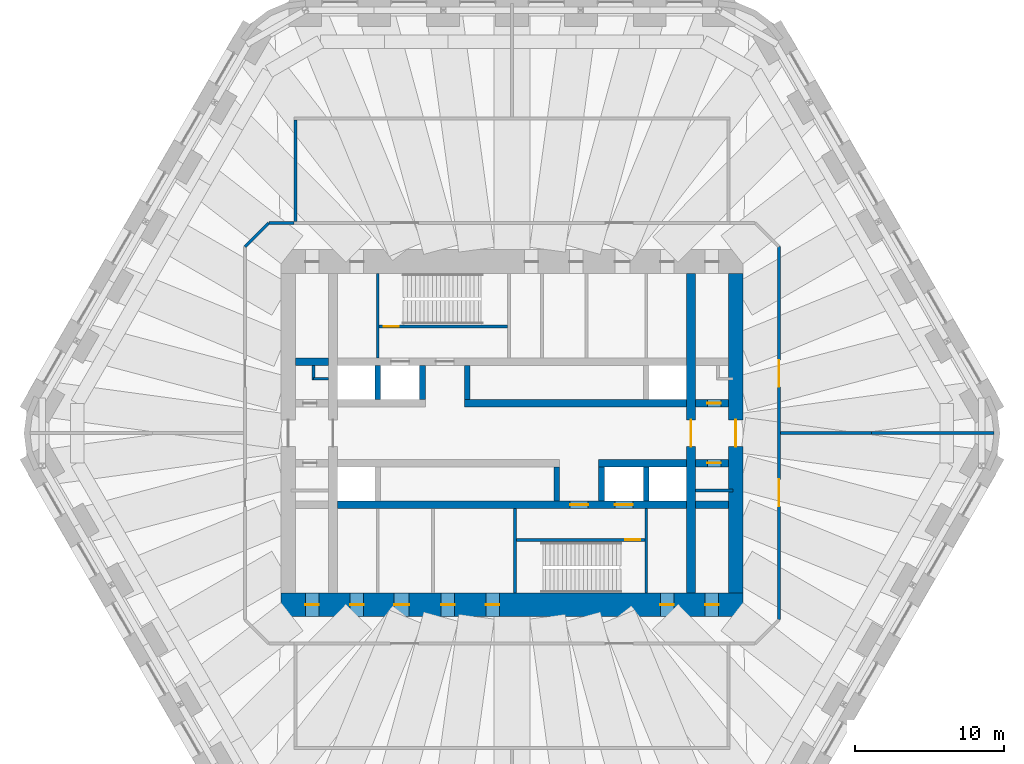
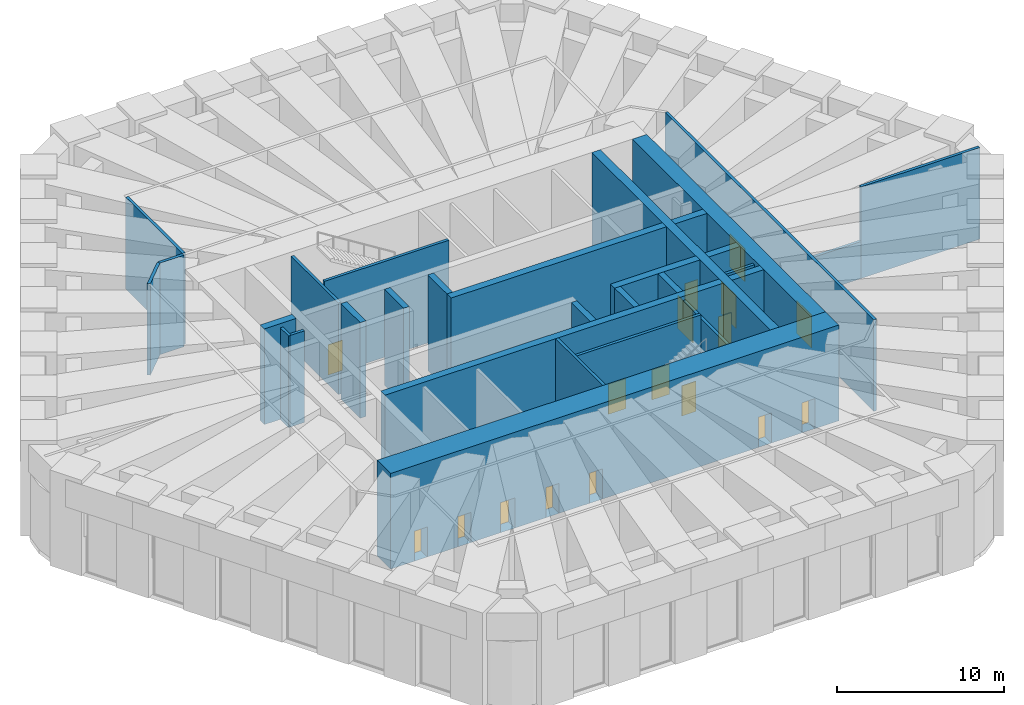
# One storey, part 12 of 14: 30 walls, 17 doors, 17 openings.
"""IFC4 building model written with IfcOpenShell, lengths in metres."""

from ifc_helpers import new_model, si_unit, direction, frame, frame_2d, origin, place, context, subcontext, project, spatial, rectangle, extrude, material, layer, layer_set, type_object, element, fill, save


model = new_model("IFC4")

# Units and contexts
model_context = context("Model", 3, precision=1e-05, world=origin(), true_north=direction((0.0, 1.0)))
body_context = subcontext(model_context, "Body", "Model", "MODEL_VIEW")
ifc_project = project(units=[si_unit("LENGTHUNIT", "METRE"), si_unit("AREAUNIT", "SQUARE_METRE"), si_unit("VOLUMEUNIT", "CUBIC_METRE"), si_unit("PLANEANGLEUNIT", "RADIAN"), si_unit("MASSUNIT", "GRAM", prefix="KILO")], contexts=[model_context])

# Site, building, storey
site_placement = place(None, origin())
site = spatial("IfcSite", under=ifc_project, at=site_placement, CompositionType="ELEMENT")
building_placement = place(site_placement, origin())
building = spatial("IfcBuilding", under=site, at=building_placement, Name="Tarfa Lantern Tower", CompositionType="ELEMENT")
storey_placement = place(building_placement, frame((0.0, 0.0, 299.5)))
storey = spatial("IfcBuildingStorey", under=building, at=storey_placement, Name="L68", CompositionType="ELEMENT", Elevation=299.5)

# Walls
ifc_material_1 = material(Name="Concrete blockwork", Category="masonry")
ifc_layer_1 = layer(ifc_material_1, 0.199951171875)
ifc_layer_set_1 = layer_set([ifc_layer_1], Name="IW1 BLOCKWORK PARTITION 200 EI 120")
wall_type_1 = type_object("IfcWallType", Name="IW1 BLOCKWORK PARTITION 200 EI 120", PredefinedType="PARTITIONING", material=ifc_layer_set_1)
for number, where, z_axis, x_axis, name in (
    (1, (-9.0, 5.050048828125, 0.0), (0.0, 0.0, 1.0), (0.0, 1.0, 0.0), "Core partition"),
    (2, (9.0, -5.050048828125, 0.0), (0.0, 0.0, 1.0), (0.0, -1.0, 0.0), "Core partition"),
):
    element("IfcWall", number, at=place(storey_placement, frame(where, z_axis=z_axis, x_axis=x_axis)), inside=storey, type_object=wall_type_1, Name=name, PredefinedType="PARTITIONING", context=body_context, shape_type="SweptSolid", body=[
        extrude(rectangle(XDim=5.64990234375, YDim=0.199951171875, at=frame_2d((2.824951171875, 0.0))), origin(), (0.0, 0.0, 1.0), 6.699951171875),
    ])
for number, where, z_axis, x_axis, name in (
    (3, (-13.300048828125, 3.64990234375, 0.0), (0.0, 0.0, 1.0), (1.0, 0.0, 0.0), "Core partition"),
    (4, (-13.300048828125, 3.550048828125, 0.0), (0.0, 0.0, 1.0), (0.0, 1.0, 0.0), "Core partition"),
):
    element("IfcWall", number, at=place(storey_placement, frame(where, z_axis=z_axis, x_axis=x_axis)), inside=storey, type_object=wall_type_1, Name=name, PredefinedType="PARTITIONING", context=body_context, shape_type="SweptSolid", body=[
        extrude(rectangle(XDim=1.0, YDim=0.199951171875, at=frame_2d((0.5, 0.0))), origin(), (0.0, 0.0, 1.0), 6.699951171875),
    ])
wall_1_placement = place(storey_placement, frame((14.800048828125, -3.85009765625, 0.0), z_axis=(0.0, 0.0, 1.0), x_axis=(-1.0, 0.0, 0.0)))
element("IfcWall", 5, at=wall_1_placement, inside=storey, type_object=wall_type_1, Name="Core partition", PredefinedType="PARTITIONING", context=body_context, shape_type="SweptSolid", body=[
    extrude(rectangle(XDim=2.5, YDim=0.199951171875, at=frame_2d((1.25, 0.0))), origin(), (0.0, 0.0, 1.0), 6.699951171875),
])
wall_2_placement = place(storey_placement, frame((-16.300048828125, 14.10009765625, 0.0), z_axis=(0.0, 0.0, 1.0), x_axis=(1.0, 0.0, 0.0)))
element("IfcWall", 6, at=wall_2_placement, inside=storey, type_object=wall_type_1, Name="Fire-rated partition", PredefinedType="PARTITIONING", context=body_context, shape_type="SweptSolid", body=[
    extrude(rectangle(XDim=1.699951171875, YDim=0.199951171875, at=frame_2d((0.85009765625, 0.0))), origin(), (0.0, 0.0, 1.0), 6.699951171875),
])

# Wall, openings, doors
wall_3_placement = place(storey_placement, frame((17.89990234375, 12.5, 0.0), z_axis=(0.0, 0.0, 1.0), x_axis=(0.0, -1.0, 0.0)))
wall_3 = element("IfcWall", 7, at=wall_3_placement, inside=storey, type_object=wall_type_1, Name="Fire-rated partition", PredefinedType="PARTITIONING", context=body_context, shape_type="SweptSolid", body=[
    extrude(rectangle(XDim=25.0, YDim=0.199951171875, at=frame_2d((12.5, 0.0))), origin(), (0.0, 0.0, 1.0), 6.699951171875),
])
opening_1_placement = place(wall_3_placement, frame((7.60009765625, 0.0, 0.0)))
opening_1 = element("IfcOpeningElement", 8, at=opening_1_placement, cuts=wall_3, Name="Opening D27", PredefinedType="OPENING", context=body_context, shape_type="SweptSolid", body=[
    extrude(rectangle(XDim=1.800048828125, YDim=2.39990234375, at=frame_2d((0.89990234375, 1.199951171875))), frame((0.0, 0.10986328125, 0.0), z_axis=(0.0, -1.0, 0.0), x_axis=(1.0, 0.0, 0.0)), (0.0, 0.0, 1.0), 0.219970703125),
])
opening_2_placement = place(wall_3_placement, frame((15.60009765625, 0.0, 0.0)))
opening_2 = element("IfcOpeningElement", 9, at=opening_2_placement, cuts=wall_3, Name="Opening D29", PredefinedType="OPENING", context=body_context, shape_type="SweptSolid", body=[
    extrude(rectangle(XDim=1.800048828125, YDim=2.39990234375, at=frame_2d((0.89990234375, 1.199951171875))), frame((0.0, 0.10986328125, 0.0), z_axis=(0.0, -1.0, 0.0), x_axis=(1.0, 0.0, 0.0)), (0.0, 0.0, 1.0), 0.219970703125),
])
ifc_material_2 = material(Name="Steel fire door", Category="steel")
door_type_1 = type_object("IfcDoorType", Name="DF7 FIRE DOOR 1800x2400", OperationType="DOUBLE_DOOR_SINGLE_SWING", PredefinedType="DOOR", material=ifc_material_2)
door_1_placement = place(opening_1_placement, origin())
door_1 = element("IfcDoor", 10, at=door_1_placement, inside=storey, type_object=door_type_1, Name="Water tank room door", OperationType="DOUBLE_DOOR_SINGLE_SWING", OverallHeight=2.39990234375, OverallWidth=1.800048828125, PredefinedType="DOOR", context=body_context, shape_type="SweptSolid", body=[
    extrude(rectangle(XDim=1.800048828125, YDim=2.39990234375, at=frame_2d((0.89990234375, 1.199951171875))), frame((0.0, 0.02490234375, 0.0), z_axis=(0.0, -1.0, 0.0), x_axis=(1.0, 0.0, 0.0)), (0.0, 0.0, 1.0), 0.050048828125),
])
fill(opening_1, door_1)
door_2_placement = place(opening_2_placement, origin())
door_2 = element("IfcDoor", 11, at=door_2_placement, inside=storey, type_object=door_type_1, Name="Electrical plant room door", OperationType="DOUBLE_DOOR_SINGLE_SWING", OverallHeight=2.39990234375, OverallWidth=1.800048828125, PredefinedType="DOOR", context=body_context, shape_type="SweptSolid", body=[
    extrude(rectangle(XDim=1.800048828125, YDim=2.39990234375, at=frame_2d((0.89990234375, 1.199951171875))), frame((0.0, 0.02490234375, 0.0), z_axis=(0.0, -1.0, 0.0), x_axis=(1.0, 0.0, 0.0)), (0.0, 0.0, 1.0), 0.050048828125),
])
fill(opening_2, door_2)

# Walls
wall_4_placement = place(storey_placement, frame((-17.89990234375, 12.5, 0.0), z_axis=(0.0, 0.0, 1.0), x_axis=(0.707052830339, 0.707160727918, 0.0)))
element("IfcWall", 12, at=wall_4_placement, inside=storey, type_object=wall_type_1, Name="Fire-rated partition", PredefinedType="PARTITIONING", context=body_context, shape_type="SweptSolid", body=[
    extrude(rectangle(XDim=2.2626953125, YDim=0.199951171875, at=frame_2d((1.13134765625, 0.0))), origin(), (0.0, 0.0, 1.0), 6.699951171875),
])
wall_5_placement = place(storey_placement, frame((18.0, 0.0, 0.0), z_axis=(0.0, 0.0, 1.0), x_axis=(1.0, 0.0, 0.0)))
element("IfcWall", 13, at=wall_5_placement, inside=storey, type_object=wall_type_1, Name="Fire-rated partition", PredefinedType="PARTITIONING", context=body_context, shape_type="SweptSolid", body=[
    extrude(rectangle(XDim=6.095947265625, YDim=0.199951171875, at=frame_2d((3.0478515625, 0.0))), origin(), (0.0, 0.0, 1.0), 2.699951171875),
])
wall_6_placement = place(storey_placement, frame((24.095947265625, 0.0, 0.0), z_axis=(0.0, 0.0, 1.0), x_axis=(1.0, 0.0, 0.0)))
element("IfcWall", 14, at=wall_6_placement, inside=storey, type_object=wall_type_1, Name="Fire-rated partition", PredefinedType="PARTITIONING", context=body_context, shape_type="SweptSolid", body=[
    extrude(rectangle(XDim=8.203857421875, YDim=0.199951171875, at=frame_2d((4.10205078125, 0.0))), origin(), (0.0, 0.0, 1.0), 6.699951171875),
])
ifc_material_3 = material(Name="Gypsum board on steel studs", Category="steel")
ifc_layer_2 = layer(ifc_material_3, 0.2099609375)
ifc_layer_set_2 = layer_set([ifc_layer_2], Name="IW2 ACOUSTIC PARTITION 200")
wall_type_2 = type_object("IfcWallType", Name="IW2 ACOUSTIC PARTITION 200", PredefinedType="PARTITIONING", material=ifc_layer_set_2)
wall_7_placement = place(storey_placement, frame((-14.5, 14.199951171875, 0.0), z_axis=(0.0, 0.0, 1.0), x_axis=(0.0, 1.0, 0.0)))
element("IfcWall", 15, at=wall_7_placement, inside=storey, type_object=wall_type_2, Name="Partition", PredefinedType="PARTITIONING", context=body_context, shape_type="SweptSolid", body=[
    extrude(rectangle(XDim=6.800048828125, YDim=0.199951171875, at=frame_2d((3.39990234375, 0.0))), origin(), (0.0, 0.0, 1.0), 6.699951171875),
])

# Wall, opening, door
ifc_material_4 = material(Name="Concrete C80/95", Category="concrete")
ifc_layer_3 = layer(ifc_material_4, 0.199951171875)
ifc_layer_set_3 = layer_set([ifc_layer_3], Name="SW12 CORE WALL 200")
wall_type_3 = type_object("IfcWallType", Name="SW12 CORE WALL 200", PredefinedType="SHEAR", material=ifc_layer_set_3)
wall_8_placement = place(storey_placement, frame((-8.89990234375, 7.14990234375, 0.0), z_axis=(0.0, 0.0, 1.0), x_axis=(1.0, 0.0, 0.0)))
wall_8 = element("IfcWall", 16, at=wall_8_placement, inside=storey, type_object=wall_type_3, Name="Core wall stair partition N", PredefinedType="SHEAR", context=body_context, shape_type="SweptSolid", body=[
    extrude(rectangle(XDim=8.599853515625, YDim=0.199951171875, at=frame_2d((4.2998046875, 0.0))), origin(), (0.0, 0.0, 1.0), 7.0),
])
opening_3_placement = place(wall_8_placement, frame((0.300048828125, 0.0, 0.0)))
opening_3 = element("IfcOpeningElement", 17, at=opening_3_placement, cuts=wall_8, Name="Opening D23", PredefinedType="OPENING", context=body_context, shape_type="SweptSolid", body=[
    extrude(rectangle(XDim=1.0, YDim=2.199951171875, at=frame_2d((0.5, 1.10009765625))), frame((0.0, 0.10986328125, 0.0), z_axis=(0.0, -1.0, 0.0), x_axis=(1.0, 0.0, 0.0)), (0.0, 0.0, 1.0), 0.219970703125),
])
door_type_2 = type_object("IfcDoorType", Name="DF2 STAIR DOOR 1000x2200", OperationType="SINGLE_SWING_LEFT", PredefinedType="DOOR", material=ifc_material_2)
door_3_placement = place(opening_3_placement, origin())
door_3 = element("IfcDoor", 18, at=door_3_placement, inside=storey, type_object=door_type_2, Name="Stair door", OperationType="SINGLE_SWING_RIGHT", OverallHeight=2.199951171875, OverallWidth=1.0, PredefinedType="DOOR", context=body_context, shape_type="SweptSolid", body=[
    extrude(rectangle(XDim=1.0, YDim=2.199951171875, at=frame_2d((0.5, 1.10009765625))), frame((0.0, 0.02490234375, 0.0), z_axis=(0.0, -1.0, 0.0), x_axis=(1.0, 0.0, 0.0)), (0.0, 0.0, 1.0), 0.050048828125),
])
fill(opening_3, door_3)

# Wall
wall_9_placement = place(storey_placement, frame((0.199951171875, -5.050048828125, 0.0), z_axis=(0.0, 0.0, 1.0), x_axis=(0.0, -1.0, 0.0)))
element("IfcWall", 19, at=wall_9_placement, inside=storey, type_object=wall_type_3, Name="Core wall stair shaft S", PredefinedType="SHEAR", context=body_context, shape_type="SweptSolid", body=[
    extrude(rectangle(XDim=5.64990234375, YDim=0.199951171875, at=frame_2d((2.824951171875, 0.0))), origin(), (0.0, 0.0, 1.0), 7.0),
])

# Wall, opening, door
wall_10_placement = place(storey_placement, frame((8.89990234375, -7.14990234375, 0.0), z_axis=(0.0, 0.0, 1.0), x_axis=(-1.0, 0.0, 0.0)))
wall_10 = element("IfcWall", 20, at=wall_10_placement, inside=storey, type_object=wall_type_3, Name="Core wall stair partition S", PredefinedType="SHEAR", context=body_context, shape_type="SweptSolid", body=[
    extrude(rectangle(XDim=8.599853515625, YDim=0.199951171875, at=frame_2d((4.2998046875, 0.0))), origin(), (0.0, 0.0, 1.0), 7.0),
])
opening_4_placement = place(wall_10_placement, frame((0.300048828125, 0.0, 0.0)))
opening_4 = element("IfcOpeningElement", 21, at=opening_4_placement, cuts=wall_10, Name="Opening D24", PredefinedType="OPENING", context=body_context, shape_type="SweptSolid", body=[
    extrude(rectangle(XDim=1.0, YDim=2.199951171875, at=frame_2d((0.5, 1.10009765625))), frame((0.0, 0.10986328125, 0.0), z_axis=(0.0, -1.0, 0.0), x_axis=(1.0, 0.0, 0.0)), (0.0, 0.0, 1.0), 0.219970703125),
])
door_4_placement = place(opening_4_placement, origin())
door_4 = element("IfcDoor", 22, at=door_4_placement, inside=storey, type_object=door_type_2, Name="Stair door", OperationType="SINGLE_SWING_RIGHT", OverallHeight=2.199951171875, OverallWidth=1.0, PredefinedType="DOOR", context=body_context, shape_type="SweptSolid", body=[
    extrude(rectangle(XDim=1.0, YDim=2.199951171875, at=frame_2d((0.5, 1.10009765625))), frame((0.0, 0.02490234375, 0.0), z_axis=(0.0, -1.0, 0.0), x_axis=(1.0, 0.0, 0.0)), (0.0, 0.0, 1.0), 0.050048828125),
])
fill(opening_4, door_4)

ifc_layer_4 = layer(ifc_material_4, 1.0)
ifc_layer_set_4 = layer_set([ifc_layer_4], Name="SW2 CORE WALL 1000")
wall_type_4 = type_object("IfcWallType", Name="SW2 CORE WALL 1000", PredefinedType="SHEAR", material=ifc_layer_set_4)
wall_11_placement = place(storey_placement, frame((15.0, -10.699951171875, 0.0), z_axis=(0.0, 0.0, 1.0), x_axis=(0.0, 1.0, 0.0)))
wall_11 = element("IfcWall", 23, at=wall_11_placement, inside=storey, type_object=wall_type_4, Name="Core wall E", PredefinedType="SHEAR", context=body_context, shape_type="SweptSolid", body=[
    extrude(rectangle(XDim=21.39990234375, YDim=1.0, at=frame_2d((10.699951171875, 0.0))), origin(), (0.0, 0.0, 1.0), 7.0),
])
opening_5_placement = place(wall_11_placement, frame((9.800048828125, 0.0, 0.0)))
opening_5 = element("IfcOpeningElement", 24, at=opening_5_placement, cuts=wall_11, Name="Opening D11", PredefinedType="OPENING", context=body_context, shape_type="SweptSolid", body=[
    extrude(rectangle(XDim=1.800048828125, YDim=2.39990234375, at=frame_2d((0.89990234375, 1.199951171875))), frame((0.0, 0.510009765625, 0.0), z_axis=(0.0, -1.0, 0.0), x_axis=(1.0, 0.0, 0.0)), (0.0, 0.0, 1.0), 1.02001953125),
])
door_type_3 = type_object("IfcDoorType", Name="DL1 LOBBY DOOR 1800x2400", OperationType="DOUBLE_DOOR_SINGLE_SWING", PredefinedType="DOOR", material=ifc_material_2)
door_5_placement = place(opening_5_placement, frame((1.800048828125, 0.0, 0.0), z_axis=(0.0, 0.0, 1.0), x_axis=(-1.0, 0.0, 0.0)))
door_5 = element("IfcDoor", 25, at=door_5_placement, inside=storey, type_object=door_type_3, Name="Lift lobby door", OperationType="DOUBLE_DOOR_SINGLE_SWING", OverallHeight=2.39990234375, OverallWidth=1.800048828125, PredefinedType="DOOR", context=body_context, shape_type="SweptSolid", body=[
    extrude(rectangle(XDim=1.800048828125, YDim=2.39990234375, at=frame_2d((0.89990234375, 1.199951171875))), frame((0.0, 0.02490234375, 0.0), z_axis=(0.0, -1.0, 0.0), x_axis=(1.0, 0.0, 0.0)), (0.0, 0.0, 1.0), 0.050048828125),
])
fill(opening_5, door_5)

# Wall
ifc_layer_5 = layer(ifc_material_4, 0.5)
ifc_layer_set_5 = layer_set([ifc_layer_5], Name="SW5 CORE WALL 500")
wall_type_5 = type_object("IfcWallType", Name="SW5 CORE WALL 500", PredefinedType="SHEAR", material=ifc_layer_set_5)
wall_12_placement = place(storey_placement, frame((-3.199951171875, 2.0, 0.0), z_axis=(0.0, 0.0, 1.0), x_axis=(1.0, 0.0, 0.0)))
element("IfcWall", 26, at=wall_12_placement, inside=storey, type_object=wall_type_5, Name="Core wall lobby east N", PredefinedType="SHEAR", context=body_context, shape_type="SweptSolid", body=[
    extrude(rectangle(XDim=14.89990234375, YDim=0.5, at=frame_2d((7.449951171875, 0.0))), origin(), (0.0, 0.0, 1.0), 7.0),
])

# Wall, opening, door
wall_13_placement = place(storey_placement, frame((12.300048828125, 2.0, 0.0), z_axis=(0.0, 0.0, 1.0), x_axis=(1.0, 0.0, 0.0)))
wall_13 = element("IfcWall", 27, at=wall_13_placement, inside=storey, type_object=wall_type_5, Name="Core wall lobby east N", PredefinedType="SHEAR", context=body_context, shape_type="SweptSolid", body=[
    extrude(rectangle(XDim=2.199951171875, YDim=0.5, at=frame_2d((1.10009765625, 0.0))), origin(), (0.0, 0.0, 1.0), 7.0),
])
opening_6_placement = place(wall_13_placement, frame((0.800048828125, 0.0, 0.0)))
opening_6 = element("IfcOpeningElement", 28, at=opening_6_placement, cuts=wall_13, Name="Opening D13", PredefinedType="OPENING", context=body_context, shape_type="SweptSolid", body=[
    extrude(rectangle(XDim=0.89990234375, YDim=2.199951171875, at=frame_2d((0.449951171875, 1.10009765625))), frame((0.0, 0.260009765625, 0.0), z_axis=(0.0, -1.0, 0.0), x_axis=(1.0, 0.0, 0.0)), (0.0, 0.0, 1.0), 0.52001953125),
])
door_type_4 = type_object("IfcDoorType", Name="DF6 SERVICE ROOM DOOR 900x2200", OperationType="SINGLE_SWING_LEFT", PredefinedType="DOOR", material=ifc_material_2)
door_6_placement = place(opening_6_placement, origin())
door_6 = element("IfcDoor", 29, at=door_6_placement, inside=storey, type_object=door_type_4, Name="Service room door", OperationType="SINGLE_SWING_LEFT", OverallHeight=2.199951171875, OverallWidth=0.89990234375, PredefinedType="DOOR", context=body_context, shape_type="SweptSolid", body=[
    extrude(rectangle(XDim=0.89990234375, YDim=2.199951171875, at=frame_2d((0.449951171875, 1.10009765625))), frame((0.0, 0.02490234375, 0.0), z_axis=(0.0, -1.0, 0.0), x_axis=(1.0, 0.0, 0.0)), (0.0, 0.0, 1.0), 0.050048828125),
])
fill(opening_6, door_6)

# Wall
wall_14_placement = place(storey_placement, frame((-14.5, 4.800048828125, 0.0), z_axis=(0.0, 0.0, 1.0), x_axis=(1.0, 0.0, 0.0)))
element("IfcWall", 30, at=wall_14_placement, inside=storey, type_object=wall_type_5, Name="Core wall rear N", PredefinedType="SHEAR", context=body_context, shape_type="SweptSolid", body=[
    extrude(rectangle(XDim=2.199951171875, YDim=0.5, at=frame_2d((1.10009765625, 0.0))), origin(), (0.0, 0.0, 1.0), 7.0),
])

# Wall, opening, door
wall_15_placement = place(storey_placement, frame((14.5, -2.0, 0.0), z_axis=(0.0, 0.0, 1.0), x_axis=(-1.0, 0.0, 0.0)))
wall_15 = element("IfcWall", 31, at=wall_15_placement, inside=storey, type_object=wall_type_5, Name="Core wall lobby west S", PredefinedType="SHEAR", context=body_context, shape_type="SweptSolid", body=[
    extrude(rectangle(XDim=2.199951171875, YDim=0.5, at=frame_2d((1.10009765625, 0.0))), origin(), (0.0, 0.0, 1.0), 7.0),
])
opening_7_placement = place(wall_15_placement, frame((0.5, 0.0, 0.0)))
opening_7 = element("IfcOpeningElement", 32, at=opening_7_placement, cuts=wall_15, Name="Opening D16", PredefinedType="OPENING", context=body_context, shape_type="SweptSolid", body=[
    extrude(rectangle(XDim=0.89990234375, YDim=2.199951171875, at=frame_2d((0.449951171875, 1.10009765625))), frame((0.0, 0.260009765625, 0.0), z_axis=(0.0, -1.0, 0.0), x_axis=(1.0, 0.0, 0.0)), (0.0, 0.0, 1.0), 0.52001953125),
])
door_7_placement = place(opening_7_placement, origin())
door_7 = element("IfcDoor", 33, at=door_7_placement, inside=storey, type_object=door_type_4, Name="Service room door", OperationType="SINGLE_SWING_RIGHT", OverallHeight=2.199951171875, OverallWidth=0.89990234375, PredefinedType="DOOR", context=body_context, shape_type="SweptSolid", body=[
    extrude(rectangle(XDim=0.89990234375, YDim=2.199951171875, at=frame_2d((0.449951171875, 1.10009765625))), frame((0.0, 0.02490234375, 0.0), z_axis=(0.0, -1.0, 0.0), x_axis=(1.0, 0.0, 0.0)), (0.0, 0.0, 1.0), 0.050048828125),
])
fill(opening_7, door_7)

# Walls
wall_16_placement = place(storey_placement, frame((11.699951171875, -2.0, 0.0), z_axis=(0.0, 0.0, 1.0), x_axis=(-1.0, 0.0, 0.0)))
element("IfcWall", 34, at=wall_16_placement, inside=storey, type_object=wall_type_5, Name="Core wall lobby west S", PredefinedType="SHEAR", context=body_context, shape_type="SweptSolid", body=[
    extrude(rectangle(XDim=5.89990234375, YDim=0.5, at=frame_2d((2.949951171875, 0.0))), origin(), (0.0, 0.0, 1.0), 7.0),
])
wall_17_placement = place(storey_placement, frame((14.5, -4.800048828125, 0.0), z_axis=(0.0, 0.0, 1.0), x_axis=(-1.0, 0.0, 0.0)))
element("IfcWall", 35, at=wall_17_placement, inside=storey, type_object=wall_type_5, Name="Core wall rear S", PredefinedType="SHEAR", context=body_context, shape_type="SweptSolid", body=[
    extrude(rectangle(XDim=2.199951171875, YDim=0.5, at=frame_2d((1.10009765625, 0.0))), origin(), (0.0, 0.0, 1.0), 7.0),
])

# Wall, openings, doors
wall_18_placement = place(storey_placement, frame((11.699951171875, -4.800048828125, 0.0), z_axis=(0.0, 0.0, 1.0), x_axis=(-1.0, 0.0, 0.0)))
wall_18 = element("IfcWall", 36, at=wall_18_placement, inside=storey, type_object=wall_type_5, Name="Core wall rear S", PredefinedType="SHEAR", context=body_context, shape_type="SweptSolid", body=[
    extrude(rectangle(XDim=23.39990234375, YDim=0.5, at=frame_2d((11.699951171875, 0.0))), origin(), (0.0, 0.0, 1.0), 7.0),
])
opening_8_placement = place(wall_18_placement, frame((6.60009765625, 0.0, 0.0)))
opening_8 = element("IfcOpeningElement", 37, at=opening_8_placement, cuts=wall_18, Name="Opening D10", PredefinedType="OPENING", context=body_context, shape_type="SweptSolid", body=[
    extrude(rectangle(XDim=1.199951171875, YDim=2.199951171875, at=frame_2d((0.60009765625, 1.10009765625))), frame((0.0, 0.260009765625, 0.0), z_axis=(0.0, -1.0, 0.0), x_axis=(1.0, 0.0, 0.0)), (0.0, 0.0, 1.0), 0.52001953125),
])
opening_9_placement = place(wall_18_placement, frame((3.60009765625, 0.0, 0.0)))
opening_9 = element("IfcOpeningElement", 38, at=opening_9_placement, cuts=wall_18, Name="Opening LD02", PredefinedType="OPENING", context=body_context, shape_type="SweptSolid", body=[
    extrude(rectangle(XDim=1.199951171875, YDim=2.199951171875, at=frame_2d((0.60009765625, 1.10009765625))), frame((0.0, 0.260009765625, 0.0), z_axis=(0.0, -1.0, 0.0), x_axis=(1.0, 0.0, 0.0)), (0.0, 0.0, 1.0), 0.52001953125),
])
door_type_5 = type_object("IfcDoorType", Name="DF1 FIREFIGHTING LOBBY DOOR 1200x2200", OperationType="SINGLE_SWING_LEFT", PredefinedType="DOOR", material=ifc_material_2)
door_8_placement = place(opening_8_placement, origin())
door_8 = element("IfcDoor", 39, at=door_8_placement, inside=storey, type_object=door_type_5, Name="Firefighting lobby door", OperationType="SINGLE_SWING_LEFT", OverallHeight=2.199951171875, OverallWidth=1.199951171875, PredefinedType="DOOR", context=body_context, shape_type="SweptSolid", body=[
    extrude(rectangle(XDim=1.199951171875, YDim=2.199951171875, at=frame_2d((0.60009765625, 1.10009765625))), frame((0.0, 0.02490234375, 0.0), z_axis=(0.0, -1.0, 0.0), x_axis=(1.0, 0.0, 0.0)), (0.0, 0.0, 1.0), 0.050048828125),
])
fill(opening_8, door_8)
ifc_material_5 = material(Name="Stainless steel lift door", Category="steel")
door_type_6 = type_object("IfcDoorType", Name="LD1 LIFT LANDING DOOR 1200x2200", OperationType="SLIDING_TO_LEFT", PredefinedType="DOOR", material=ifc_material_5)
door_9_placement = place(opening_9_placement, origin())
door_9 = element("IfcDoor", 40, at=door_9_placement, inside=storey, type_object=door_type_6, Name="Landing door FL2", OperationType="SLIDING_TO_LEFT", OverallHeight=2.199951171875, OverallWidth=1.199951171875, PredefinedType="DOOR", context=body_context, shape_type="SweptSolid", body=[
    extrude(rectangle(XDim=1.199951171875, YDim=2.199951171875, at=frame_2d((0.60009765625, 1.10009765625))), frame((0.0, 0.02490234375, 0.0), z_axis=(0.0, -1.0, 0.0), x_axis=(1.0, 0.0, 0.0)), (0.0, 0.0, 1.0), 0.050048828125),
])
fill(opening_9, door_9)

# Walls
ifc_layer_6 = layer(ifc_material_4, 0.39990234375)
ifc_layer_set_6 = layer_set([ifc_layer_6], Name="SW6 CORE WALL 400")
wall_type_6 = type_object("IfcWallType", Name="SW6 CORE WALL 400", PredefinedType="SHEAR", material=ifc_layer_set_6)
for number, where, z_axis, x_axis, name in (
    (41, (-9.0, 2.25, 0.0), (0.0, 0.0, 1.0), (0.0, 1.0, 0.0), "Core wall divider N"),
    (42, (-6.0, 2.25, 0.0), (0.0, 0.0, 1.0), (0.0, 1.0, 0.0), "Core wall divider N"),
    (43, (-3.0, 2.25, 0.0), (0.0, 0.0, 1.0), (0.0, 1.0, 0.0), "Core wall divider N"),
    (44, (9.0, -2.25, 0.0), (0.0, 0.0, 1.0), (0.0, -1.0, 0.0), "Core wall divider S"),
    (45, (6.0, -2.25, 0.0), (0.0, 0.0, 1.0), (0.0, -1.0, 0.0), "Core wall divider S"),
    (46, (3.0, -2.25, 0.0), (0.0, 0.0, 1.0), (0.0, -1.0, 0.0), "Core wall divider S"),
):
    element("IfcWall", number, at=place(storey_placement, frame(where, z_axis=z_axis, x_axis=x_axis)), inside=storey, type_object=wall_type_6, Name=name, PredefinedType="SHEAR", context=body_context, shape_type="SweptSolid", body=[
        extrude(rectangle(XDim=2.300048828125, YDim=0.39990234375, at=frame_2d((1.14990234375, 0.0))), origin(), (0.0, 0.0, 1.0), 7.0),
    ])

# Wall, openings, doors
ifc_layer_7 = layer(ifc_material_4, 1.60009765625)
ifc_layer_set_7 = layer_set([ifc_layer_7], Name="SW7 CORE WALL 1600")
wall_type_7 = type_object("IfcWallType", Name="SW7 CORE WALL 1600", PredefinedType="SHEAR", material=ifc_layer_set_7)
wall_19_placement = place(storey_placement, frame((15.5, -11.5, 0.0), z_axis=(0.0, 0.0, 1.0), x_axis=(-1.0, 0.0, 0.0)))
wall_19 = element("IfcWall", 47, at=wall_19_placement, inside=storey, type_object=wall_type_7, Name="Core wall S", PredefinedType="SHEAR", context=body_context, shape_type="SweptSolid", body=[
    extrude(rectangle(XDim=31.0, YDim=1.60009765625, at=frame_2d((15.5, 0.0))), origin(), (0.0, 0.0, 1.0), 7.0),
])
opening_10_placement = place(wall_19_placement, frame((16.35009765625, 0.0, 0.0)))
opening_10 = element("IfcOpeningElement", 48, at=opening_10_placement, cuts=wall_19, Name="Opening D18", PredefinedType="OPENING", context=body_context, shape_type="SweptSolid", body=[
    extrude(rectangle(XDim=0.89990234375, YDim=2.199951171875, at=frame_2d((0.449951171875, 1.10009765625))), frame((0.0, 0.81005859375, 0.0), z_axis=(0.0, -1.0, 0.0), x_axis=(1.0, 0.0, 0.0)), (0.0, 0.0, 1.0), 1.6201171875),
])
opening_11_placement = place(wall_19_placement, frame((19.35009765625, 0.0, 0.0)))
opening_11 = element("IfcOpeningElement", 49, at=opening_11_placement, cuts=wall_19, Name="Opening D20", PredefinedType="OPENING", context=body_context, shape_type="SweptSolid", body=[
    extrude(rectangle(XDim=0.89990234375, YDim=2.199951171875, at=frame_2d((0.449951171875, 1.10009765625))), frame((0.0, 0.81005859375, 0.0), z_axis=(0.0, -1.0, 0.0), x_axis=(1.0, 0.0, 0.0)), (0.0, 0.0, 1.0), 1.6201171875),
])
opening_12_placement = place(wall_19_placement, frame((22.39990234375, 0.0, 0.0)))
opening_12 = element("IfcOpeningElement", 50, at=opening_12_placement, cuts=wall_19, Name="Opening D22", PredefinedType="OPENING", context=body_context, shape_type="SweptSolid", body=[
    extrude(rectangle(XDim=1.0, YDim=2.199951171875, at=frame_2d((0.5, 1.10009765625))), frame((0.0, 0.81005859375, 0.0), z_axis=(0.0, -1.0, 0.0), x_axis=(1.0, 0.0, 0.0)), (0.0, 0.0, 1.0), 1.6201171875),
])
opening_13_placement = place(wall_19_placement, frame((1.64990234375, 0.0, 0.0)))
opening_13 = element("IfcOpeningElement", 51, at=opening_13_placement, cuts=wall_19, Name="Opening D08", PredefinedType="OPENING", context=body_context, shape_type="SweptSolid", body=[
    extrude(rectangle(XDim=0.89990234375, YDim=2.199951171875, at=frame_2d((0.449951171875, 1.10009765625))), frame((0.0, 0.81005859375, 0.0), z_axis=(0.0, -1.0, 0.0), x_axis=(1.0, 0.0, 0.0)), (0.0, 0.0, 1.0), 1.6201171875),
])
opening_14_placement = place(wall_19_placement, frame((4.64990234375, 0.0, 0.0)))
opening_14 = element("IfcOpeningElement", 52, at=opening_14_placement, cuts=wall_19, Name="Opening D06", PredefinedType="OPENING", context=body_context, shape_type="SweptSolid", body=[
    extrude(rectangle(XDim=0.89990234375, YDim=2.199951171875, at=frame_2d((0.449951171875, 1.10009765625))), frame((0.0, 0.81005859375, 0.0), z_axis=(0.0, -1.0, 0.0), x_axis=(1.0, 0.0, 0.0)), (0.0, 0.0, 1.0), 1.6201171875),
])
opening_15_placement = place(wall_19_placement, frame((25.449951171875, 0.0, 0.0)))
opening_15 = element("IfcOpeningElement", 53, at=opening_15_placement, cuts=wall_19, Name="Opening D04", PredefinedType="OPENING", context=body_context, shape_type="SweptSolid", body=[
    extrude(rectangle(XDim=0.89990234375, YDim=2.199951171875, at=frame_2d((0.449951171875, 1.10009765625))), frame((0.0, 0.81005859375, 0.0), z_axis=(0.0, -1.0, 0.0), x_axis=(1.0, 0.0, 0.0)), (0.0, 0.0, 1.0), 1.6201171875),
])
opening_16_placement = place(wall_19_placement, frame((28.449951171875, 0.0, 0.0)))
opening_16 = element("IfcOpeningElement", 54, at=opening_16_placement, cuts=wall_19, Name="Opening D02", PredefinedType="OPENING", context=body_context, shape_type="SweptSolid", body=[
    extrude(rectangle(XDim=0.89990234375, YDim=2.199951171875, at=frame_2d((0.449951171875, 1.10009765625))), frame((0.0, 0.81005859375, 0.0), z_axis=(0.0, -1.0, 0.0), x_axis=(1.0, 0.0, 0.0)), (0.0, 0.0, 1.0), 1.6201171875),
])
door_type_7 = type_object("IfcDoorType", Name="DF3 CORE ROOM DOOR 900x2200", OperationType="SINGLE_SWING_LEFT", PredefinedType="DOOR", material=ifc_material_2)
door_10_placement = place(opening_10_placement, frame((0.89990234375, 0.0, 0.0), z_axis=(0.0, 0.0, 1.0), x_axis=(-1.0, 0.0, 0.0)))
door_10 = element("IfcDoor", 55, at=door_10_placement, inside=storey, type_object=door_type_7, Name="Core door", OperationType="SINGLE_SWING_LEFT", OverallHeight=2.199951171875, OverallWidth=0.89990234375, PredefinedType="DOOR", context=body_context, shape_type="SweptSolid", body=[
    extrude(rectangle(XDim=0.89990234375, YDim=2.199951171875, at=frame_2d((0.449951171875, 1.10009765625))), frame((0.0, 0.02490234375, 0.0), z_axis=(0.0, -1.0, 0.0), x_axis=(1.0, 0.0, 0.0)), (0.0, 0.0, 1.0), 0.050048828125),
])
fill(opening_10, door_10)
door_11_placement = place(opening_11_placement, frame((0.89990234375, 0.0, 0.0), z_axis=(0.0, 0.0, 1.0), x_axis=(-1.0, 0.0, 0.0)))
door_11 = element("IfcDoor", 56, at=door_11_placement, inside=storey, type_object=door_type_7, Name="Core door", OperationType="SINGLE_SWING_RIGHT", OverallHeight=2.199951171875, OverallWidth=0.89990234375, PredefinedType="DOOR", context=body_context, shape_type="SweptSolid", body=[
    extrude(rectangle(XDim=0.89990234375, YDim=2.199951171875, at=frame_2d((0.449951171875, 1.10009765625))), frame((0.0, 0.02490234375, 0.0), z_axis=(0.0, -1.0, 0.0), x_axis=(1.0, 0.0, 0.0)), (0.0, 0.0, 1.0), 0.050048828125),
])
fill(opening_11, door_11)
door_type_8 = type_object("IfcDoorType", Name="DF4 CORE ROOM DOOR 1000x2200", OperationType="SINGLE_SWING_LEFT", PredefinedType="DOOR", material=ifc_material_2)
door_12_placement = place(opening_12_placement, frame((1.0, 0.0, 0.0), z_axis=(0.0, 0.0, 1.0), x_axis=(-1.0, 0.0, 0.0)))
door_12 = element("IfcDoor", 57, at=door_12_placement, inside=storey, type_object=door_type_8, Name="Core door", OperationType="SINGLE_SWING_RIGHT", OverallHeight=2.199951171875, OverallWidth=1.0, PredefinedType="DOOR", context=body_context, shape_type="SweptSolid", body=[
    extrude(rectangle(XDim=1.0, YDim=2.199951171875, at=frame_2d((0.5, 1.10009765625))), frame((0.0, 0.02490234375, 0.0), z_axis=(0.0, -1.0, 0.0), x_axis=(1.0, 0.0, 0.0)), (0.0, 0.0, 1.0), 0.050048828125),
])
fill(opening_12, door_12)
door_type_9 = type_object("IfcDoorType", Name="DF5 RISER DOOR 900x2200", OperationType="SINGLE_SWING_LEFT", PredefinedType="DOOR", material=ifc_material_2)
door_13_placement = place(opening_13_placement, frame((0.89990234375, 0.0, 0.0), z_axis=(0.0, 0.0, 1.0), x_axis=(-1.0, 0.0, 0.0)))
door_13 = element("IfcDoor", 58, at=door_13_placement, inside=storey, type_object=door_type_9, Name="Riser door", OperationType="SINGLE_SWING_LEFT", OverallHeight=2.199951171875, OverallWidth=0.89990234375, PredefinedType="DOOR", context=body_context, shape_type="SweptSolid", body=[
    extrude(rectangle(XDim=0.89990234375, YDim=2.199951171875, at=frame_2d((0.449951171875, 1.10009765625))), frame((0.0, 0.02490234375, 0.0), z_axis=(0.0, -1.0, 0.0), x_axis=(1.0, 0.0, 0.0)), (0.0, 0.0, 1.0), 0.050048828125),
])
fill(opening_13, door_13)
door_14_placement = place(opening_14_placement, frame((0.89990234375, 0.0, 0.0), z_axis=(0.0, 0.0, 1.0), x_axis=(-1.0, 0.0, 0.0)))
door_14 = element("IfcDoor", 59, at=door_14_placement, inside=storey, type_object=door_type_9, Name="Riser door", OperationType="SINGLE_SWING_LEFT", OverallHeight=2.199951171875, OverallWidth=0.89990234375, PredefinedType="DOOR", context=body_context, shape_type="SweptSolid", body=[
    extrude(rectangle(XDim=0.89990234375, YDim=2.199951171875, at=frame_2d((0.449951171875, 1.10009765625))), frame((0.0, 0.02490234375, 0.0), z_axis=(0.0, -1.0, 0.0), x_axis=(1.0, 0.0, 0.0)), (0.0, 0.0, 1.0), 0.050048828125),
])
fill(opening_14, door_14)
door_15_placement = place(opening_15_placement, frame((0.89990234375, 0.0, 0.0), z_axis=(0.0, 0.0, 1.0), x_axis=(-1.0, 0.0, 0.0)))
door_15 = element("IfcDoor", 60, at=door_15_placement, inside=storey, type_object=door_type_9, Name="Riser door", OperationType="SINGLE_SWING_RIGHT", OverallHeight=2.199951171875, OverallWidth=0.89990234375, PredefinedType="DOOR", context=body_context, shape_type="SweptSolid", body=[
    extrude(rectangle(XDim=0.89990234375, YDim=2.199951171875, at=frame_2d((0.449951171875, 1.10009765625))), frame((0.0, 0.02490234375, 0.0), z_axis=(0.0, -1.0, 0.0), x_axis=(1.0, 0.0, 0.0)), (0.0, 0.0, 1.0), 0.050048828125),
])
fill(opening_15, door_15)
door_16_placement = place(opening_16_placement, frame((0.89990234375, 0.0, 0.0), z_axis=(0.0, 0.0, 1.0), x_axis=(-1.0, 0.0, 0.0)))
door_16 = element("IfcDoor", 61, at=door_16_placement, inside=storey, type_object=door_type_9, Name="Riser door", OperationType="SINGLE_SWING_RIGHT", OverallHeight=2.199951171875, OverallWidth=0.89990234375, PredefinedType="DOOR", context=body_context, shape_type="SweptSolid", body=[
    extrude(rectangle(XDim=0.89990234375, YDim=2.199951171875, at=frame_2d((0.449951171875, 1.10009765625))), frame((0.0, 0.02490234375, 0.0), z_axis=(0.0, -1.0, 0.0), x_axis=(1.0, 0.0, 0.0)), (0.0, 0.0, 1.0), 0.050048828125),
])
fill(opening_16, door_16)

# Wall, opening, door
ifc_layer_8 = layer(ifc_material_4, 0.60009765625)
ifc_layer_set_8 = layer_set([ifc_layer_8], Name="SW9 CORE WALL 600")
wall_type_8 = type_object("IfcWallType", Name="SW9 CORE WALL 600", PredefinedType="SHEAR", material=ifc_layer_set_8)
wall_20_placement = place(storey_placement, frame((12.0, -10.699951171875, 0.0), z_axis=(0.0, 0.0, 1.0), x_axis=(0.0, 1.0, 0.0)))
wall_20 = element("IfcWall", 62, at=wall_20_placement, inside=storey, type_object=wall_type_8, Name="Core wall cross 12 m east", PredefinedType="SHEAR", context=body_context, shape_type="SweptSolid", body=[
    extrude(rectangle(XDim=21.39990234375, YDim=0.60009765625, at=frame_2d((10.699951171875, 0.0))), origin(), (0.0, 0.0, 1.0), 7.0),
])
opening_17_placement = place(wall_20_placement, frame((9.800048828125, 0.0, 0.0)))
opening_17 = element("IfcOpeningElement", 63, at=opening_17_placement, cuts=wall_20, Name="Opening D25", PredefinedType="OPENING", context=body_context, shape_type="SweptSolid", body=[
    extrude(rectangle(XDim=1.800048828125, YDim=2.39990234375, at=frame_2d((0.89990234375, 1.199951171875))), frame((0.0, 0.31005859375, 0.0), z_axis=(0.0, -1.0, 0.0), x_axis=(1.0, 0.0, 0.0)), (0.0, 0.0, 1.0), 0.6201171875),
])
door_17_placement = place(opening_17_placement, origin())
door_17 = element("IfcDoor", 64, at=door_17_placement, inside=storey, type_object=door_type_3, Name="Lift lobby door", OperationType="DOUBLE_DOOR_SINGLE_SWING", OverallHeight=2.39990234375, OverallWidth=1.800048828125, PredefinedType="DOOR", context=body_context, shape_type="SweptSolid", body=[
    extrude(rectangle(XDim=1.800048828125, YDim=2.39990234375, at=frame_2d((0.89990234375, 1.199951171875))), frame((0.0, 0.02490234375, 0.0), z_axis=(0.0, -1.0, 0.0), x_axis=(1.0, 0.0, 0.0)), (0.0, 0.0, 1.0), 0.050048828125),
])
fill(opening_17, door_17)

save(model, "model.ifc")
